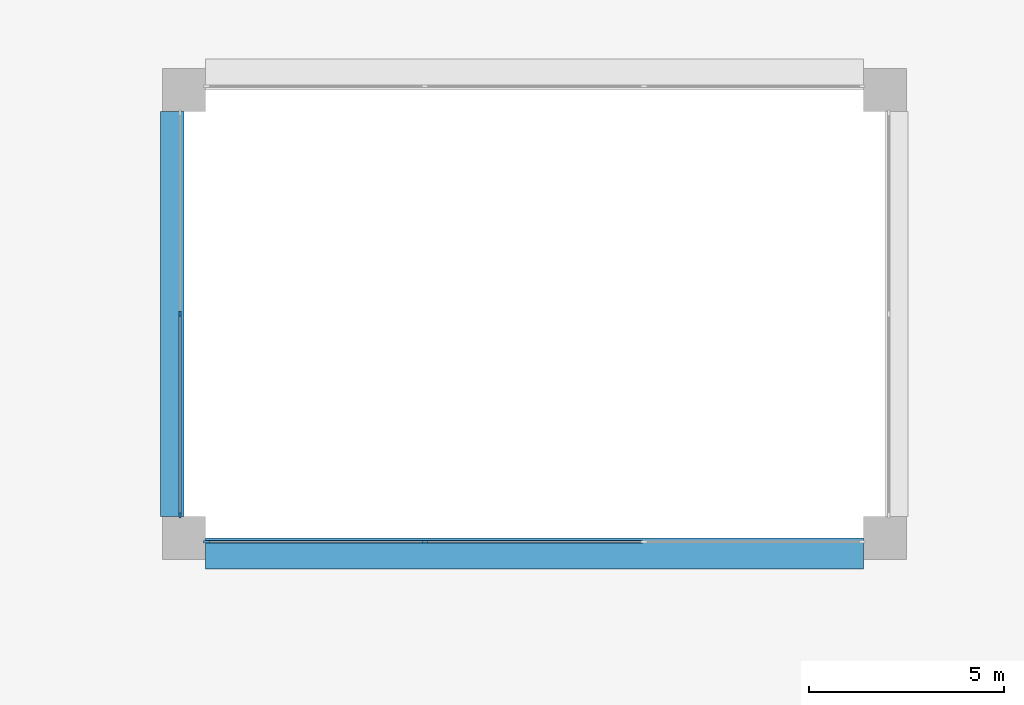
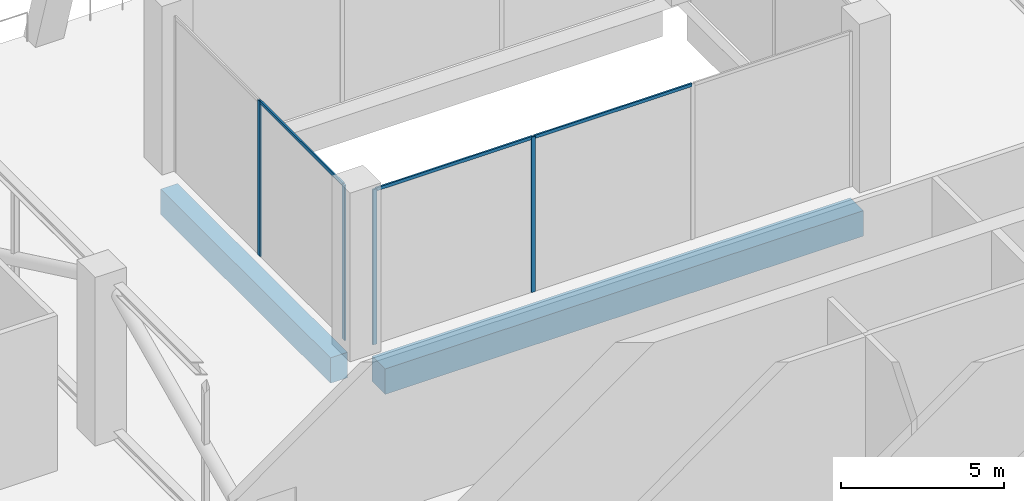
# One storey, part 3 of 14: 7 members, 2 beams, 2 elements without a shape of their own.
"""IFC4 building model written with IfcOpenShell, lengths in metres."""

import ifcopenshell
import ifcopenshell.guid

model = None  # the IFC model being written
_history = None  # IfcOwnerHistory: only IFC2X3 demands one
_inside = {}  # id of a spatial element -> (the spatial element, [elements in it])
_under = {}  # id of a project, library or spatial element -> (it, [spatial elements below it])
_declared = {}  # id of a project -> (the project, [libraries it declares])
_typed = {}  # id of a type object -> (the type object, [elements of that type])
_made_of = {}  # id of a material, layer set ... -> (it, [elements and type objects made of it])


def new_model(schema):
    """Start an empty IFC model of exactly this schema.

    Asked for "IFC4X3", IfcOpenShell would pick the latest addendum, in which some entities
    have other attributes; the version numbers below select the first issue.
    IFC2X3 requires an IfcOwnerHistory on every rooted entity: one is made here for all.
    """
    global model, _history
    if schema == "IFC4X3":
        model = ifcopenshell.file(schema_version=(4, 3, 0, 0))
    else:
        model = ifcopenshell.file(schema=schema)
    _inside.clear()
    _under.clear()
    _declared.clear()
    _typed.clear()
    _made_of.clear()
    _history = None
    if model.schema == "IFC2X3":
        org = make("IfcOrganization", Name="unknown")
        user = make(
            "IfcPersonAndOrganization",
            ThePerson=make("IfcPerson", FamilyName="unknown"),
            TheOrganization=org,
        )
        app = make(
            "IfcApplication",
            ApplicationDeveloper=org,
            Version="unknown",
            ApplicationFullName="unknown",
            ApplicationIdentifier="unknown",
        )
        _history = make(
            "IfcOwnerHistory",
            OwningUser=user,
            OwningApplication=app,
            ChangeAction="ADDED",
            CreationDate=0,
        )
    return model


def make(cls, **values):
    """One entity of the class cls with the attributes given. An attribute that is None is left unset."""
    return model.create_entity(
        cls, **{name: value for name, value in values.items() if value is not None}
    )


def rooted(cls, **values):
    """An entity with a GlobalId (a new one), such as an element, a storey or a relation."""
    return make(cls, GlobalId=ifcopenshell.guid.new(), OwnerHistory=_history, **values)


def si_unit(unit_type, name, prefix=None):
    """IfcSIUnit, for example si_unit("LENGTHUNIT", "METRE", prefix="MILLI")."""
    return make("IfcSIUnit", UnitType=unit_type, Prefix=prefix, Name=name)


def assignment(units):
    """IfcUnitAssignment: the units of a project."""
    return None if units is None else make("IfcUnitAssignment", Units=units)


def point(xyz):
    """IfcCartesianPoint."""
    return None if xyz is None else make("IfcCartesianPoint", Coordinates=xyz)


def direction(xyz):
    """IfcDirection."""
    return None if xyz is None else make("IfcDirection", DirectionRatios=xyz)


def frame(location, z_axis=None, x_axis=None):
    """IfcAxis2Placement3D, a coordinate frame: its origin and axes. An axis left out is left unset."""
    return make(
        "IfcAxis2Placement3D",
        Location=point(location),
        Axis=direction(z_axis),
        RefDirection=direction(x_axis),
    )


def frame_2d(location, x_axis=None):
    """IfcAxis2Placement2D, a coordinate frame in the plane: its origin and x axis."""
    return make(
        "IfcAxis2Placement2D", Location=point(location), RefDirection=direction(x_axis)
    )


def origin():
    """The frame at (0, 0, 0) with its axes left unset."""
    return frame((0.0, 0.0, 0.0))


def origin_2d():
    """The frame at (0, 0) in the plane with its x axis left unset."""
    return frame_2d((0.0, 0.0))


def place(relative_to, where):
    """IfcLocalPlacement: puts the frame where relative to a parent placement (None: the world)."""
    return make(
        "IfcLocalPlacement", PlacementRelTo=relative_to, RelativePlacement=where
    )


def context(
    kind, dimensions, precision=None, world=None, true_north=None, identifier=None
):
    """IfcGeometricRepresentationContext, for example the 3D "Model" context."""
    return make(
        "IfcGeometricRepresentationContext",
        ContextIdentifier=identifier,
        ContextType=kind,
        CoordinateSpaceDimension=dimensions,
        Precision=precision,
        WorldCoordinateSystem=world,
        TrueNorth=true_north,
    )


def subcontext(parent, identifier, kind, view, scale=None):
    """IfcGeometricRepresentationSubContext, for example "Body" below "Model"."""
    return make(
        "IfcGeometricRepresentationSubContext",
        ContextIdentifier=identifier,
        ContextType=kind,
        ParentContext=parent,
        TargetScale=scale,
        TargetView=view,
    )


def project(units=None, contexts=None):
    """IfcProject with its units and contexts."""
    return rooted(
        "IfcProject",
        Name="project",
        RepresentationContexts=contexts,
        UnitsInContext=assignment(units),
    )


def spatial(cls, under=None, at=None, **own):
    """A site, building, storey or space (cls), placed at a placement, below another one or the project."""
    s = rooted(cls, ObjectPlacement=at, **own)
    if under is not None:
        _under.setdefault(under.id(), (under, []))[1].append(s)
    return s


def profile(cls, at=None, kind="AREA", **sizes):
    """A parametric profile (cls). Its sizes go by their IFC names, for example OverallWidth=200.0."""
    return make(cls, ProfileType=kind, Position=at, **sizes)


def rectangle(**sizes):
    """IfcRectangleProfileDef."""
    return profile("IfcRectangleProfileDef", **sizes)


def extrude(swept, where, along, depth):
    """IfcExtrudedAreaSolid: the profile swept, set in the frame where, extruded along a direction by depth."""
    return make(
        "IfcExtrudedAreaSolid",
        SweptArea=swept,
        Position=where,
        ExtrudedDirection=direction(along),
        Depth=depth,
    )


def shape(context_of_items, identifier, shape_type, items):
    """IfcShapeRepresentation: the items that make up one representation, for example the "Body"."""
    return make(
        "IfcShapeRepresentation",
        ContextOfItems=context_of_items,
        RepresentationIdentifier=identifier,
        RepresentationType=shape_type,
        Items=items,
    )


def material(Name=None, Category=None):
    """IfcMaterial."""
    return make("IfcMaterial", Name=Name, Category=Category)


def layer(
    of_material, thickness, ventilated=None, Name=None, Category=None, Priority=None
):
    """IfcMaterialLayer: one layer of a wall or slab, of a material (None: an air gap)."""
    return make(
        "IfcMaterialLayer",
        Material=of_material,
        LayerThickness=thickness,
        IsVentilated=ventilated,
        Name=Name,
        Category=Category,
        Priority=Priority,
    )


def layer_set(layers, Name=None):
    """IfcMaterialLayerSet."""
    return make("IfcMaterialLayerSet", MaterialLayers=layers, LayerSetName=Name)


def material_profile(
    of_material, cross_section, Name=None, Category=None, Priority=None
):
    """IfcMaterialProfile: a cross section and its material."""
    return make(
        "IfcMaterialProfile",
        Name=Name,
        Material=of_material,
        Profile=cross_section,
        Priority=Priority,
        Category=Category,
    )


def profile_set(profiles, Name=None, composite=None):
    """IfcMaterialProfileSet."""
    return make(
        "IfcMaterialProfileSet",
        Name=Name,
        MaterialProfiles=profiles,
        CompositeProfile=composite,
    )


def made_of(thing, what):
    """Note that an element or type object is made of a material, layer set ...; save() writes the relation."""
    if what is not None:
        _made_of.setdefault(what.id(), (what, []))[1].append(thing)
    return thing


def type_object(cls, material=None, **own):
    """A type object (cls), such as IfcWallType, which elements share."""
    return made_of(rooted(cls, **own), material)


def element(
    cls,
    number,
    at=None,
    inside=None,
    cuts=None,
    type_object=None,
    material=None,
    context=None,
    identifier="Body",
    shape_type=None,
    held_by="IfcProductDefinitionShape",
    body=None,
    shapes=None,
    **own,
):
    """One element of the class cls, such as IfcWall. Its Tag is "e" and its number.

    at: its placement. inside: the storey or other place that contains it. cuts: it is an
    opening in that element (IfcRelVoidsElement). A single representation is given by context,
    identifier, shape_type and body (its items); several are given by shapes. held_by: the class
    of the entity that holds the representations. save() writes the other relations.
    """
    e = rooted(cls, Tag="e%d" % number, ObjectPlacement=at, **own)
    if body is not None:
        shapes = [shape(context, identifier, shape_type, body)]
    if shapes is not None:
        e.Representation = make(held_by, Representations=shapes)
    if inside is not None:
        _inside.setdefault(inside.id(), (inside, []))[1].append(e)
    if cuts is not None:
        rooted(
            "IfcRelVoidsElement", RelatingBuildingElement=cuts, RelatedOpeningElement=e
        )
    if type_object is not None:
        _typed.setdefault(type_object.id(), (type_object, []))[1].append(e)
    return made_of(e, material)


def aggregate(whole, parts):
    """IfcRelAggregates: a whole, such as a stair, and the parts it consists of."""
    return rooted("IfcRelAggregates", RelatingObject=whole, RelatedObjects=parts)


def save(model, path):
    """Write the relations noted so far, then the file.

    IfcRelAggregates (storeys below a building ...), IfcRelContainedInSpatialStructure (elements
    in a storey), IfcRelDefinesByType, IfcRelAssociatesMaterial and IfcRelDeclares: one each for
    every whole, place, type object, material and project.
    """
    for whole, parts in _under.values():
        aggregate(whole, parts)
    for where, things in _inside.values():
        rooted(
            "IfcRelContainedInSpatialStructure",
            RelatedElements=things,
            RelatingStructure=where,
        )
    for kind, things in _typed.values():
        rooted("IfcRelDefinesByType", RelatedObjects=things, RelatingType=kind)
    for what, things in _made_of.values():
        rooted("IfcRelAssociatesMaterial", RelatedObjects=things, RelatingMaterial=what)
    for by, libraries in _declared.values():
        rooted("IfcRelDeclares", RelatingContext=by, RelatedDefinitions=libraries)
    model.write(path)


model = new_model("IFC4")

# Units and contexts
model_context = context("Model", 3, precision=1e-05, world=origin(), true_north=direction((0.0, 1.0)))
body_context = subcontext(model_context, "Body", "Model", "MODEL_VIEW")
ifc_project = project(units=[si_unit("LENGTHUNIT", "METRE"), si_unit("AREAUNIT", "SQUARE_METRE"), si_unit("VOLUMEUNIT", "CUBIC_METRE"), si_unit("PLANEANGLEUNIT", "RADIAN"), si_unit("MASSUNIT", "GRAM", prefix="KILO")], contexts=[model_context])

# Site, building, storey
site_placement = place(None, origin())
site = spatial("IfcSite", under=ifc_project, at=site_placement, CompositionType="ELEMENT")
building_placement = place(site_placement, origin())
building = spatial("IfcBuilding", under=site, at=building_placement, Name="Brigalow Station Residences", CompositionType="ELEMENT")
storey_placement = place(building_placement, frame((0.0, 0.0, 185.39990234375)))
storey = spatial("IfcBuildingStorey", under=building, at=storey_placement, Name="L54", CompositionType="ELEMENT", Elevation=185.39990234375)

# Beams
ifc_material_1 = material(Name="Concrete C65", Category="concrete")
ifc_material_profile_1 = material_profile(ifc_material_1, rectangle(XDim=0.60009765625, YDim=0.949951171875, at=origin_2d()), Name="RC600x950")
ifc_profile_set_1 = profile_set([ifc_material_profile_1], Name="Concrete C65")
beam_type_1 = type_object("IfcBeamType", Name="ATRIUM EDGE GIRDER 600x950 C65", PredefinedType="BEAM", material=ifc_profile_set_1)
beam_1_placement = place(storey_placement, frame((26.699951171875, 24.550048828125, -0.974853515625), z_axis=(0.0, 1.0, 0.0), x_axis=(-1.0, 0.0, 0.0)))
element("IfcBeam", 1, at=beam_1_placement, inside=storey, type_object=beam_type_1, Name="ATRIUM EDGE GIRDER 3 L54", PredefinedType="BEAM", context=body_context, shape_type="SweptSolid", body=[
    extrude(rectangle(XDim=0.60009765625, YDim=0.949951171875, at=origin_2d()), origin(), (0.0, 0.0, 1.0), 10.39990234375),
])
ifc_material_2 = material(Name="Concrete C65", Category="concrete")
ifc_material_profile_2 = material_profile(ifc_material_2, rectangle(XDim=0.800048828125, YDim=0.949951171875, at=origin_2d()), Name="RC800x950")
ifc_profile_set_2 = profile_set([ifc_material_profile_2], Name="Concrete C65")
beam_type_2 = type_object("IfcBeamType", Name="ATRIUM EDGE GIRDER OVER 13.5 M SPAN 800x950 C65", PredefinedType="BEAM", material=ifc_profile_set_2)
beam_2_placement = place(storey_placement, frame((27.550048828125, 23.60009765625, -0.974853515625), z_axis=(1.0, 0.0, 0.0), x_axis=(0.0, 1.0, 0.0)))
element("IfcBeam", 2, at=beam_2_placement, inside=storey, type_object=beam_type_2, Name="ATRIUM EDGE GIRDER C L54", PredefinedType="BEAM", context=body_context, shape_type="SweptSolid", body=[
    extrude(rectangle(XDim=0.800048828125, YDim=0.949951171875, at=origin_2d()), origin(), (0.0, 0.0, 1.0), 16.89990234375),
])

# Curtain wall, members
ifc_material_3 = material(Name="Aluminium", Category="aluminium")
ifc_layer = layer(ifc_material_3, 0.14990234375)
ifc_layer_set = layer_set([ifc_layer], Name="ATRIUM FIRE-RATED GLAZING CURTAIN WALL")
curtain_wall_type = type_object("IfcCurtainWallType", Name="ATRIUM FIRE-RATED GLAZING CURTAIN WALL", PredefinedType="NOTDEFINED", material=ifc_layer_set)
curtain_wall_1_placement = place(storey_placement, origin())
curtain_wall_1 = element("IfcCurtainWall", 3, at=curtain_wall_1_placement, inside=storey, type_object=curtain_wall_type, Name="L54/cw/atrium-S", PredefinedType="NOTDEFINED")
ifc_material_4 = material(Name="Aluminium", Category="aluminium")
ifc_material_profile_3 = material_profile(ifc_material_4, rectangle(XDim=0.06005859375, YDim=0.14990234375, at=origin_2d()), Name="ATRIUM FIRE-RATED GLAZING MULLION 60x150")
ifc_profile_set_3 = profile_set([ifc_material_profile_3], Name="Aluminium")
member_type_1 = type_object("IfcMemberType", Name="ATRIUM FIRE-RATED GLAZING MULLION 60x150", PredefinedType="MULLION", material=ifc_profile_set_3)
member_1_placement = place(storey_placement, frame((27.580078125, 23.89990234375, 0.0), z_axis=(0.0, 0.0, 1.0), x_axis=(0.0, 1.0, 0.0)))
member_1 = element("IfcMember", 4, at=member_1_placement, type_object=member_type_1, Name="L54/cw/atrium-S/M00", PredefinedType="MULLION", context=body_context, shape_type="SweptSolid", body=[
    extrude(rectangle(XDim=0.06005859375, YDim=0.14990234375, at=origin_2d()), origin(), (0.0, 0.0, 1.0), 5.800048828125),
])
member_2_placement = place(storey_placement, frame((33.183349609375, 23.89990234375, 0.0), z_axis=(0.0, 0.0, 1.0), x_axis=(0.0, 1.0, 0.0)))
member_2 = element("IfcMember", 5, at=member_2_placement, type_object=member_type_1, Name="L54/cw/atrium-S/M01", PredefinedType="MULLION", context=body_context, shape_type="SweptSolid", body=[
    extrude(rectangle(XDim=0.06005859375, YDim=0.14990234375, at=origin_2d()), origin(), (0.0, 0.0, 1.0), 5.800048828125),
])

curtain_wall_2_placement = place(storey_placement, origin())
curtain_wall_2 = element("IfcCurtainWall", 6, at=curtain_wall_2_placement, inside=storey, type_object=curtain_wall_type, Name="L54/cw/atrium-W", PredefinedType="NOTDEFINED")
member_3_placement = place(storey_placement, frame((26.89990234375, 29.75, 0.0), z_axis=(0.0, 0.0, 1.0), x_axis=(1.0, 0.0, 0.0)))
member_3 = element("IfcMember", 7, at=member_3_placement, type_object=member_type_1, Name="L54/cw/atrium-W/M01", PredefinedType="MULLION", context=body_context, shape_type="SweptSolid", body=[
    extrude(rectangle(XDim=0.06005859375, YDim=0.14990234375, at=origin_2d()), origin(), (0.0, 0.0, 1.0), 5.800048828125),
])
member_4_placement = place(storey_placement, frame((26.89990234375, 24.580078125, 0.0), z_axis=(0.0, 0.0, 1.0), x_axis=(1.0, 0.0, 0.0)))
member_4 = element("IfcMember", 8, at=member_4_placement, type_object=member_type_1, Name="L54/cw/atrium-W/M02", PredefinedType="MULLION", context=body_context, shape_type="SweptSolid", body=[
    extrude(rectangle(XDim=0.06005859375, YDim=0.14990234375, at=origin_2d()), origin(), (0.0, 0.0, 1.0), 5.800048828125),
])

# Member
ifc_material_5 = material(Name="Aluminium", Category="aluminium")
ifc_material_profile_4 = material_profile(ifc_material_5, rectangle(XDim=0.06005859375, YDim=0.1201171875, at=origin_2d()), Name="ATRIUM FIRE-RATED GLAZING TRANSOM 60x120")
ifc_profile_set_4 = profile_set([ifc_material_profile_4], Name="Aluminium")
member_type_2 = type_object("IfcMemberType", Name="ATRIUM FIRE-RATED GLAZING TRANSOM 60x120", PredefinedType="USERDEFINED", material=ifc_profile_set_4)
member_5_placement = place(storey_placement, frame((27.610107421875, 23.89990234375, 5.77001953125), z_axis=(1.0, 0.0, 0.0), x_axis=(0.0, 1.0, 0.0)))
member_5 = element("IfcMember", 9, at=member_5_placement, type_object=member_type_2, Name="L54/cw/atrium-S/T00-00", ObjectType="TRANSOM", PredefinedType="USERDEFINED", context=body_context, shape_type="SweptSolid", body=[
    extrude(rectangle(XDim=0.06005859375, YDim=0.1201171875, at=origin_2d()), origin(), (0.0, 0.0, 1.0), 5.543212890625),
])

member_6_placement = place(storey_placement, frame((33.21337890625, 23.89990234375, 5.77001953125), z_axis=(1.0, 0.0, 0.0), x_axis=(0.0, 1.0, 0.0)))
member_6 = element("IfcMember", 10, at=member_6_placement, type_object=member_type_2, Name="L54/cw/atrium-S/T01-00", ObjectType="TRANSOM", PredefinedType="USERDEFINED", context=body_context, shape_type="SweptSolid", body=[
    extrude(rectangle(XDim=0.06005859375, YDim=0.1201171875, at=origin_2d()), origin(), (0.0, 0.0, 1.0), 5.5732421875),
])

aggregate(curtain_wall_1, [member_1, member_2, member_5, member_6])

member_7_placement = place(storey_placement, frame((26.89990234375, 29.719970703125, 5.77001953125), z_axis=(0.0, -1.0, 0.0), x_axis=(1.0, 0.0, 0.0)))
member_7 = element("IfcMember", 11, at=member_7_placement, type_object=member_type_2, Name="L54/cw/atrium-W/T01-00", ObjectType="TRANSOM", PredefinedType="USERDEFINED", context=body_context, shape_type="SweptSolid", body=[
    extrude(rectangle(XDim=0.06005859375, YDim=0.1201171875, at=origin_2d()), origin(), (0.0, 0.0, 1.0), 5.10986328125),
])

aggregate(curtain_wall_2, [member_3, member_4, member_7])

save(model, "model.ifc")
